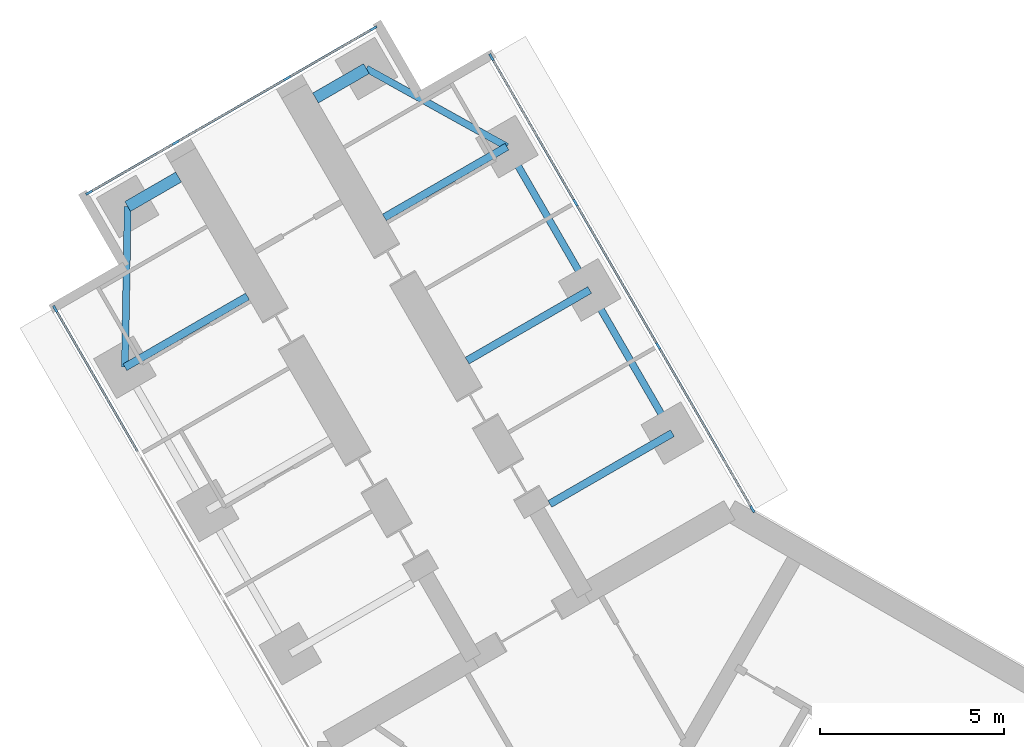
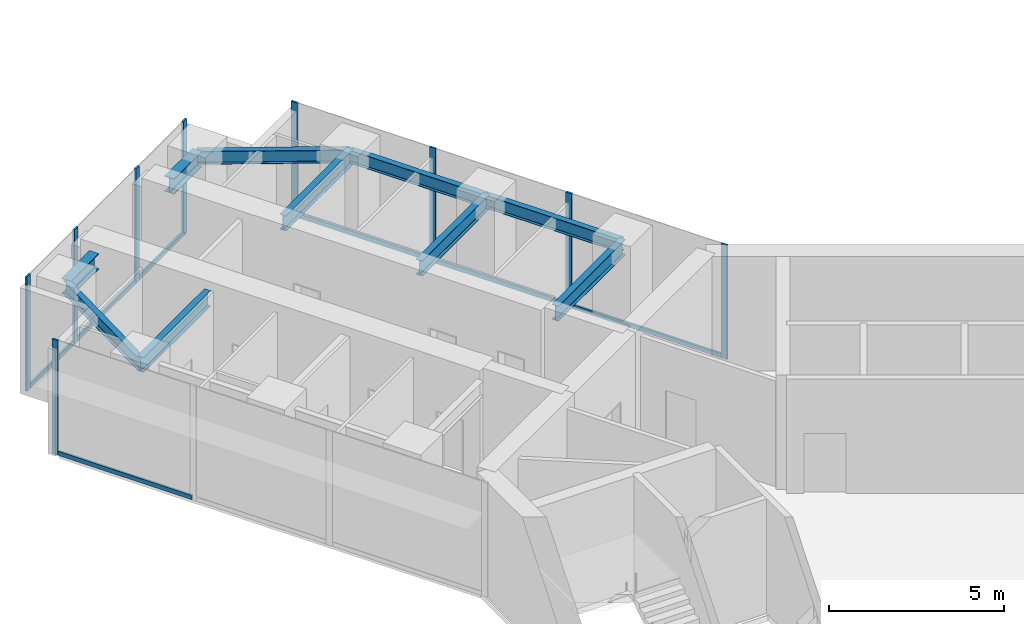
# One storey, part 6 of 23: 16 members, 10 beams, 3 elements without a shape of their own.
"""IFC4 building model written with IfcOpenShell, lengths in metres."""

import ifcopenshell
import ifcopenshell.guid

model = None  # the IFC model being written
_history = None  # IfcOwnerHistory: only IFC2X3 demands one
_inside = {}  # id of a spatial element -> (the spatial element, [elements in it])
_under = {}  # id of a project, library or spatial element -> (it, [spatial elements below it])
_declared = {}  # id of a project -> (the project, [libraries it declares])
_typed = {}  # id of a type object -> (the type object, [elements of that type])
_made_of = {}  # id of a material, layer set ... -> (it, [elements and type objects made of it])


def new_model(schema):
    """Start an empty IFC model of exactly this schema.

    Asked for "IFC4X3", IfcOpenShell would pick the latest addendum, in which some entities
    have other attributes; the version numbers below select the first issue.
    IFC2X3 requires an IfcOwnerHistory on every rooted entity: one is made here for all.
    """
    global model, _history
    if schema == "IFC4X3":
        model = ifcopenshell.file(schema_version=(4, 3, 0, 0))
    else:
        model = ifcopenshell.file(schema=schema)
    _inside.clear()
    _under.clear()
    _declared.clear()
    _typed.clear()
    _made_of.clear()
    _history = None
    if model.schema == "IFC2X3":
        org = make("IfcOrganization", Name="unknown")
        user = make(
            "IfcPersonAndOrganization",
            ThePerson=make("IfcPerson", FamilyName="unknown"),
            TheOrganization=org,
        )
        app = make(
            "IfcApplication",
            ApplicationDeveloper=org,
            Version="unknown",
            ApplicationFullName="unknown",
            ApplicationIdentifier="unknown",
        )
        _history = make(
            "IfcOwnerHistory",
            OwningUser=user,
            OwningApplication=app,
            ChangeAction="ADDED",
            CreationDate=0,
        )
    return model


def make(cls, **values):
    """One entity of the class cls with the attributes given. An attribute that is None is left unset."""
    return model.create_entity(
        cls, **{name: value for name, value in values.items() if value is not None}
    )


def rooted(cls, **values):
    """An entity with a GlobalId (a new one), such as an element, a storey or a relation."""
    return make(cls, GlobalId=ifcopenshell.guid.new(), OwnerHistory=_history, **values)


def si_unit(unit_type, name, prefix=None):
    """IfcSIUnit, for example si_unit("LENGTHUNIT", "METRE", prefix="MILLI")."""
    return make("IfcSIUnit", UnitType=unit_type, Prefix=prefix, Name=name)


def assignment(units):
    """IfcUnitAssignment: the units of a project."""
    return None if units is None else make("IfcUnitAssignment", Units=units)


def point(xyz):
    """IfcCartesianPoint."""
    return None if xyz is None else make("IfcCartesianPoint", Coordinates=xyz)


def direction(xyz):
    """IfcDirection."""
    return None if xyz is None else make("IfcDirection", DirectionRatios=xyz)


def frame(location, z_axis=None, x_axis=None):
    """IfcAxis2Placement3D, a coordinate frame: its origin and axes. An axis left out is left unset."""
    return make(
        "IfcAxis2Placement3D",
        Location=point(location),
        Axis=direction(z_axis),
        RefDirection=direction(x_axis),
    )


def frame_2d(location, x_axis=None):
    """IfcAxis2Placement2D, a coordinate frame in the plane: its origin and x axis."""
    return make(
        "IfcAxis2Placement2D", Location=point(location), RefDirection=direction(x_axis)
    )


def origin():
    """The frame at (0, 0, 0) with its axes left unset."""
    return frame((0.0, 0.0, 0.0))


def origin_2d():
    """The frame at (0, 0) in the plane with its x axis left unset."""
    return frame_2d((0.0, 0.0))


def place(relative_to, where):
    """IfcLocalPlacement: puts the frame where relative to a parent placement (None: the world)."""
    return make(
        "IfcLocalPlacement", PlacementRelTo=relative_to, RelativePlacement=where
    )


def context(
    kind, dimensions, precision=None, world=None, true_north=None, identifier=None
):
    """IfcGeometricRepresentationContext, for example the 3D "Model" context."""
    return make(
        "IfcGeometricRepresentationContext",
        ContextIdentifier=identifier,
        ContextType=kind,
        CoordinateSpaceDimension=dimensions,
        Precision=precision,
        WorldCoordinateSystem=world,
        TrueNorth=true_north,
    )


def subcontext(parent, identifier, kind, view, scale=None):
    """IfcGeometricRepresentationSubContext, for example "Body" below "Model"."""
    return make(
        "IfcGeometricRepresentationSubContext",
        ContextIdentifier=identifier,
        ContextType=kind,
        ParentContext=parent,
        TargetScale=scale,
        TargetView=view,
    )


def project(units=None, contexts=None):
    """IfcProject with its units and contexts."""
    return rooted(
        "IfcProject",
        Name="project",
        RepresentationContexts=contexts,
        UnitsInContext=assignment(units),
    )


def spatial(cls, under=None, at=None, **own):
    """A site, building, storey or space (cls), placed at a placement, below another one or the project."""
    s = rooted(cls, ObjectPlacement=at, **own)
    if under is not None:
        _under.setdefault(under.id(), (under, []))[1].append(s)
    return s


def profile(cls, at=None, kind="AREA", **sizes):
    """A parametric profile (cls). Its sizes go by their IFC names, for example OverallWidth=200.0."""
    return make(cls, ProfileType=kind, Position=at, **sizes)


def rectangle(**sizes):
    """IfcRectangleProfileDef."""
    return profile("IfcRectangleProfileDef", **sizes)


def i_section(**sizes):
    """IfcIShapeProfileDef."""
    return profile("IfcIShapeProfileDef", **sizes)


def extrude(swept, where, along, depth):
    """IfcExtrudedAreaSolid: the profile swept, set in the frame where, extruded along a direction by depth."""
    return make(
        "IfcExtrudedAreaSolid",
        SweptArea=swept,
        Position=where,
        ExtrudedDirection=direction(along),
        Depth=depth,
    )


def shape(context_of_items, identifier, shape_type, items):
    """IfcShapeRepresentation: the items that make up one representation, for example the "Body"."""
    return make(
        "IfcShapeRepresentation",
        ContextOfItems=context_of_items,
        RepresentationIdentifier=identifier,
        RepresentationType=shape_type,
        Items=items,
    )


def material(Name=None, Category=None):
    """IfcMaterial."""
    return make("IfcMaterial", Name=Name, Category=Category)


def material_profile(
    of_material, cross_section, Name=None, Category=None, Priority=None
):
    """IfcMaterialProfile: a cross section and its material."""
    return make(
        "IfcMaterialProfile",
        Name=Name,
        Material=of_material,
        Profile=cross_section,
        Priority=Priority,
        Category=Category,
    )


def profile_set(profiles, Name=None, composite=None):
    """IfcMaterialProfileSet."""
    return make(
        "IfcMaterialProfileSet",
        Name=Name,
        MaterialProfiles=profiles,
        CompositeProfile=composite,
    )


def made_of(thing, what):
    """Note that an element or type object is made of a material, layer set ...; save() writes the relation."""
    if what is not None:
        _made_of.setdefault(what.id(), (what, []))[1].append(thing)
    return thing


def type_object(cls, material=None, **own):
    """A type object (cls), such as IfcWallType, which elements share."""
    return made_of(rooted(cls, **own), material)


def element(
    cls,
    number,
    at=None,
    inside=None,
    cuts=None,
    type_object=None,
    material=None,
    context=None,
    identifier="Body",
    shape_type=None,
    held_by="IfcProductDefinitionShape",
    body=None,
    shapes=None,
    **own,
):
    """One element of the class cls, such as IfcWall. Its Tag is "e" and its number.

    at: its placement. inside: the storey or other place that contains it. cuts: it is an
    opening in that element (IfcRelVoidsElement). A single representation is given by context,
    identifier, shape_type and body (its items); several are given by shapes. held_by: the class
    of the entity that holds the representations. save() writes the other relations.
    """
    e = rooted(cls, Tag="e%d" % number, ObjectPlacement=at, **own)
    if body is not None:
        shapes = [shape(context, identifier, shape_type, body)]
    if shapes is not None:
        e.Representation = make(held_by, Representations=shapes)
    if inside is not None:
        _inside.setdefault(inside.id(), (inside, []))[1].append(e)
    if cuts is not None:
        rooted(
            "IfcRelVoidsElement", RelatingBuildingElement=cuts, RelatedOpeningElement=e
        )
    if type_object is not None:
        _typed.setdefault(type_object.id(), (type_object, []))[1].append(e)
    return made_of(e, material)


def aggregate(whole, parts):
    """IfcRelAggregates: a whole, such as a stair, and the parts it consists of."""
    return rooted("IfcRelAggregates", RelatingObject=whole, RelatedObjects=parts)


def save(model, path):
    """Write the relations noted so far, then the file.

    IfcRelAggregates (storeys below a building ...), IfcRelContainedInSpatialStructure (elements
    in a storey), IfcRelDefinesByType, IfcRelAssociatesMaterial and IfcRelDeclares: one each for
    every whole, place, type object, material and project.
    """
    for whole, parts in _under.values():
        aggregate(whole, parts)
    for where, things in _inside.values():
        rooted(
            "IfcRelContainedInSpatialStructure",
            RelatedElements=things,
            RelatingStructure=where,
        )
    for kind, things in _typed.values():
        rooted("IfcRelDefinesByType", RelatedObjects=things, RelatingType=kind)
    for what, things in _made_of.values():
        rooted("IfcRelAssociatesMaterial", RelatedObjects=things, RelatingMaterial=what)
    for by, libraries in _declared.values():
        rooted("IfcRelDeclares", RelatingContext=by, RelatedDefinitions=libraries)
    model.write(path)


model = new_model("IFC4")

# Units and contexts
model_context = context("Model", 3, precision=1e-05, world=origin(), true_north=direction((0.0, 1.0)))
body_context = subcontext(model_context, "Body", "Model", "MODEL_VIEW")
ifc_project = project(units=[si_unit("LENGTHUNIT", "METRE"), si_unit("AREAUNIT", "SQUARE_METRE"), si_unit("VOLUMEUNIT", "CUBIC_METRE"), si_unit("PLANEANGLEUNIT", "RADIAN"), si_unit("MASSUNIT", "GRAM", prefix="KILO")], contexts=[model_context])

# Site, building, storey
site_placement = place(None, origin())
site = spatial("IfcSite", under=ifc_project, at=site_placement, CompositionType="ELEMENT")
building_placement = place(site_placement, origin())
building = spatial("IfcBuilding", under=site, at=building_placement, Name="Upepo Twin Towers", CompositionType="ELEMENT")
storey_placement = place(building_placement, frame((0.0, 0.0, 161.5)))
storey = spatial("IfcBuildingStorey", under=building, at=storey_placement, Name="L39", CompositionType="ELEMENT", Elevation=161.5)

# Beams
ifc_material_1 = material(Name="Steel S355", Category="steel")
ifc_material_profile_1 = material_profile(ifc_material_1, i_section(OverallWidth=0.1904296875, OverallDepth=0.45703125, WebThickness=0.009033203125, FlangeThickness=0.014404296875, FilletRadius=0.01025390625, at=origin_2d()), Name="UB 457x191x74")
ifc_profile_set_1 = profile_set([ifc_material_profile_1], Name="Steel S355")
beam_type_1 = type_object("IfcBeamType", Name="Beam UB 457x191x74", PredefinedType="BEAM", material=ifc_profile_set_1)
beam_1_placement = place(storey_placement, frame((-16.446044921875, 16.485595703125, 3.471435546875), z_axis=(0.016803880528, 0.999858804832, 0.0), x_axis=(-0.999858804832, 0.016803880528, 0.0)))
element("IfcBeam", 1, at=beam_1_placement, inside=storey, type_object=beam_type_1, Name="T1 nose edge beam BL", PredefinedType="BEAM", context=body_context, shape_type="SweptSolid", body=[
    extrude(i_section(OverallWidth=0.1904296875, OverallDepth=0.45703125, WebThickness=0.009033203125, FlangeThickness=0.014404296875, FilletRadius=0.01025390625, at=origin_2d()), origin(), (0.0, 0.0, 1.0), 4.373291015625),
])
beam_2_placement = place(storey_placement, frame((-1.553955078125, 14.69140625, 3.471435546875), z_axis=(-0.500013631625, 0.866017533419, 0.0), x_axis=(-0.866017533419, -0.500013631625, 0.0)))
element("IfcBeam", 2, at=beam_2_placement, inside=storey, type_object=beam_type_1, Name="T1 edge beam BR 13.5-18.0", PredefinedType="BEAM", context=body_context, shape_type="SweptSolid", body=[
    extrude(i_section(OverallWidth=0.1904296875, OverallDepth=0.45703125, WebThickness=0.009033203125, FlangeThickness=0.014404296875, FilletRadius=0.01025390625, at=origin_2d()), origin(), (0.0, 0.0, 1.0), 4.499755859375),
])
beam_3_placement = place(storey_placement, frame((-3.803955078125, 18.58837890625, 3.471435546875), z_axis=(-0.499990139034, 0.866031096941, 0.0), x_axis=(-0.866031096941, -0.499990139034, 0.0)))
element("IfcBeam", 3, at=beam_3_placement, inside=storey, type_object=beam_type_1, Name="T1 edge beam BR 18.0-22.5", PredefinedType="BEAM", context=body_context, shape_type="SweptSolid", body=[
    extrude(i_section(OverallWidth=0.1904296875, OverallDepth=0.45703125, WebThickness=0.009033203125, FlangeThickness=0.014404296875, FilletRadius=0.01025390625, at=origin_2d()), origin(), (0.0, 0.0, 1.0), 4.5),
])
beam_4_placement = place(storey_placement, frame((-6.053955078125, 22.485595703125, 3.471435546875), z_axis=(-0.874312600038, 0.485363242752, 0.0), x_axis=(-0.485363242752, -0.874312600038, 0.0)))
element("IfcBeam", 4, at=beam_4_placement, inside=storey, type_object=beam_type_1, Name="T1 nose edge beam BR", PredefinedType="BEAM", context=body_context, shape_type="SweptSolid", body=[
    extrude(i_section(OverallWidth=0.1904296875, OverallDepth=0.45703125, WebThickness=0.009033203125, FlangeThickness=0.014404296875, FilletRadius=0.01025390625, at=origin_2d()), origin(), (0.0, 0.0, 1.0), 4.373046875),
])
ifc_material_2 = material(Name="Steel S355", Category="steel")
ifc_material_profile_2 = material_profile(ifc_material_2, i_section(OverallWidth=0.209228515625, OverallDepth=0.533203125, WebThickness=0.010009765625, FlangeThickness=0.015625, FilletRadius=0.0126953125, at=origin_2d()), Name="UB 533x210x92")
ifc_profile_set_2 = profile_set([ifc_material_profile_2], Name="Steel S355")
beam_type_2 = type_object("IfcBeamType", Name="Beam UB 533x210x92", PredefinedType="BEAM", material=ifc_profile_set_2)
for number, where, z_axis, x_axis, name in (
    (5, (-16.446044921875, 16.485595703125, 3.433349609375), (0.866006051527, 0.500033517596, 0.0), (-0.500033517596, 0.866006051527, 0.0), "T1 girder BL at 22.5"),
    (6, (-1.553955078125, 14.69140625, 3.433349609375), (-0.866006051527, -0.500033517596, 0.0), (0.500033517596, -0.866006051527, 0.0), "T1 girder BR at 13.5"),
):
    element("IfcBeam", number, at=place(storey_placement, frame(where, z_axis=z_axis, x_axis=x_axis)), inside=storey, type_object=beam_type_2, Name=name, PredefinedType="BEAM", context=body_context, shape_type="SweptSolid", body=[
        extrude(i_section(OverallWidth=0.209228515625, OverallDepth=0.533203125, WebThickness=0.010009765625, FlangeThickness=0.015625, FilletRadius=0.0126953125, at=origin_2d()), origin(), (0.0, 0.0, 1.0), 3.849853515625),
    ])
beam_5_placement = place(storey_placement, frame((-3.803955078125, 18.58837890625, 3.433349609375), z_axis=(-0.866033512162, -0.499985955615, 0.0), x_axis=(0.499985955615, -0.866033512162, 0.0)))
element("IfcBeam", 7, at=beam_5_placement, inside=storey, type_object=beam_type_2, Name="T1 girder BR at 18.0", PredefinedType="BEAM", context=body_context, shape_type="SweptSolid", body=[
    extrude(i_section(OverallWidth=0.209228515625, OverallDepth=0.533203125, WebThickness=0.010009765625, FlangeThickness=0.015625, FilletRadius=0.0126953125, at=origin_2d()), origin(), (0.0, 0.0, 1.0), 3.849609375),
])
beam_6_placement = place(storey_placement, frame((-6.053955078125, 22.485595703125, 3.433349609375), z_axis=(-0.866006051527, -0.500033517596, 0.0), x_axis=(0.500033517596, -0.866006051527, 0.0)))
element("IfcBeam", 8, at=beam_6_placement, inside=storey, type_object=beam_type_2, Name="T1 girder BR at 22.5", PredefinedType="BEAM", context=body_context, shape_type="SweptSolid", body=[
    extrude(i_section(OverallWidth=0.209228515625, OverallDepth=0.533203125, WebThickness=0.010009765625, FlangeThickness=0.015625, FilletRadius=0.0126953125, at=origin_2d()), origin(), (0.0, 0.0, 1.0), 3.849853515625),
])
ifc_material_3 = material(Name="Steel S355", Category="steel")
ifc_material_profile_3 = material_profile(ifc_material_3, i_section(OverallWidth=0.31201171875, OverallDepth=0.54345703125, WebThickness=0.0126953125, FlangeThickness=0.020263671875, FilletRadius=0.0126953125, at=origin_2d()), Name="UB 533x312x150")
ifc_profile_set_3 = profile_set([ifc_material_profile_3], Name="Steel S355")
beam_type_3 = type_object("IfcBeamType", Name="Beam UB 533x312x150", PredefinedType="BEAM", material=ifc_profile_set_3)
for number, where, z_axis, x_axis, name in (
    (9, (-16.37255859375, 20.858154296875, 3.42822265625), (0.865989903783, 0.500061482766, 0.0), (-0.500061482766, 0.865989903783, 0.0), "T1 nose beam BL"),
    (10, (-9.87744140625, 24.608154296875, 3.42822265625), (-0.865989903783, -0.500061482766, 0.0), (0.500061482766, -0.865989903783, 0.0), "T1 nose beam BR"),
):
    element("IfcBeam", number, at=place(storey_placement, frame(where, z_axis=z_axis, x_axis=x_axis)), inside=storey, type_object=beam_type_3, Name=name, PredefinedType="BEAM", context=body_context, shape_type="SweptSolid", body=[
        extrude(i_section(OverallWidth=0.31201171875, OverallDepth=0.54345703125, WebThickness=0.0126953125, FlangeThickness=0.020263671875, FilletRadius=0.0126953125, at=origin_2d()), origin(), (0.0, 0.0, 1.0), 1.599853515625),
    ])

# Curtain wall, member
ifc_material_4 = material(Name="Aluminium and fritted glass", Category="aluminium")
curtain_wall_type = type_object("IfcCurtainWallType", Name="Tower curtain wall TW2, fritted glass", PredefinedType="NOTDEFINED", material=ifc_material_4)
curtain_wall_1_placement = place(storey_placement, origin())
curtain_wall_1 = element("IfcCurtainWall", 11, at=curtain_wall_1_placement, inside=storey, type_object=curtain_wall_type, Name="T1 L39 wing B flank L curtain wall", PredefinedType="NOTDEFINED")
ifc_material_5 = material(Name="Aluminium mullion", Category="aluminium")
ifc_material_profile_4 = material_profile(ifc_material_5, rectangle(XDim=0.06494140625, YDim=0.199951171875, at=origin_2d()), Name="MULLION 65x200")
ifc_profile_set_4 = profile_set([ifc_material_profile_4], Name="Aluminium mullion")
member_type_1 = type_object("IfcMemberType", Name="Mullion 65x200 TW2", PredefinedType="MULLION", material=ifc_profile_set_4)
member_1_placement = place(storey_placement, frame((-18.341064453125, 18.067626953125, 0.0), z_axis=(0.0, 0.0, 1.0), x_axis=(-0.866025397833, -0.500000010308, 0.0)))
member_1 = element("IfcMember", 12, at=member_1_placement, type_object=member_type_1, Name="T1 L39 wing B flank L curtain wall mullion 4", PredefinedType="MULLION", context=body_context, shape_type="SweptSolid", body=[
    extrude(rectangle(XDim=0.06494140625, YDim=0.199951171875, at=origin_2d()), origin(), (0.0, 0.0, 1.0), 4.0),
])

# Curtain wall, members
curtain_wall_2_placement = place(storey_placement, origin())
curtain_wall_2 = element("IfcCurtainWall", 13, at=curtain_wall_2_placement, inside=storey, type_object=curtain_wall_type, Name="T1 L39 wing B flank R curtain wall", PredefinedType="NOTDEFINED")
member_2_placement = place(storey_placement, frame((-6.4765625, 24.91748046875, 0.0), z_axis=(0.0, 0.0, 1.0), x_axis=(0.866025397833, 0.500000010308, 0.0)))
member_2 = element("IfcMember", 14, at=member_2_placement, type_object=member_type_1, Name="T1 L39 wing B flank R curtain wall mullion 1", PredefinedType="MULLION", context=body_context, shape_type="SweptSolid", body=[
    extrude(rectangle(XDim=0.06494140625, YDim=0.199951171875, at=origin_2d()), origin(), (0.0, 0.0, 1.0), 4.0),
])
member_3_placement = place(storey_placement, frame((-4.192626953125, 20.9619140625, 0.0), z_axis=(0.0, 0.0, 1.0), x_axis=(0.866025397833, 0.500000010308, 0.0)))
member_3 = element("IfcMember", 15, at=member_3_placement, type_object=member_type_1, Name="T1 L39 wing B flank R curtain wall mullion 2", PredefinedType="MULLION", context=body_context, shape_type="SweptSolid", body=[
    extrude(rectangle(XDim=0.06494140625, YDim=0.199951171875, at=origin_2d()), origin(), (0.0, 0.0, 1.0), 4.0),
])
member_4_placement = place(storey_placement, frame((-1.942626953125, 17.06494140625, 0.0), z_axis=(0.0, 0.0, 1.0), x_axis=(0.866025397833, 0.500000010308, 0.0)))
member_4 = element("IfcMember", 16, at=member_4_placement, type_object=member_type_1, Name="T1 L39 wing B flank R curtain wall mullion 3", PredefinedType="MULLION", context=body_context, shape_type="SweptSolid", body=[
    extrude(rectangle(XDim=0.06494140625, YDim=0.199951171875, at=origin_2d()), origin(), (0.0, 0.0, 1.0), 4.0),
])
member_5_placement = place(storey_placement, frame((0.62255859375, 12.621826171875, 0.0), z_axis=(0.0, 0.0, 1.0), x_axis=(0.866025397833, 0.500000010308, 0.0)))
member_5 = element("IfcMember", 17, at=member_5_placement, type_object=member_type_1, Name="T1 L39 wing B flank R curtain wall mullion 4", PredefinedType="MULLION", context=body_context, shape_type="SweptSolid", body=[
    extrude(rectangle(XDim=0.06494140625, YDim=0.199951171875, at=origin_2d()), origin(), (0.0, 0.0, 1.0), 4.0),
])

curtain_wall_3_placement = place(storey_placement, origin())
curtain_wall_3 = element("IfcCurtainWall", 18, at=curtain_wall_3_placement, inside=storey, type_object=curtain_wall_type, Name="T1 L39 wing B nose curtain wall", PredefinedType="NOTDEFINED")
member_6_placement = place(storey_placement, frame((-9.68115234375, 25.703125, 0.0), z_axis=(0.0, 0.0, 1.0), x_axis=(0.500000030502, -0.866025386174, 0.0)))
member_6 = element("IfcMember", 19, at=member_6_placement, type_object=member_type_1, Name="T1 L39 wing B nose curtain wall mullion 1", PredefinedType="MULLION", context=body_context, shape_type="SweptSolid", body=[
    extrude(rectangle(XDim=0.06494140625, YDim=0.199951171875, at=origin_2d()), origin(), (0.0, 0.0, 1.0), 4.0),
])
member_7_placement = place(storey_placement, frame((-12.034423828125, 24.34423828125, 0.0), z_axis=(0.0, 0.0, 1.0), x_axis=(0.500000030502, -0.866025386174, 0.0)))
member_7 = element("IfcMember", 20, at=member_7_placement, type_object=member_type_1, Name="T1 L39 wing B nose curtain wall mullion 2", PredefinedType="MULLION", context=body_context, shape_type="SweptSolid", body=[
    extrude(rectangle(XDim=0.06494140625, YDim=0.199951171875, at=origin_2d()), origin(), (0.0, 0.0, 1.0), 4.0),
])
member_8_placement = place(storey_placement, frame((-15.0654296875, 22.59423828125, 0.0), z_axis=(0.0, 0.0, 1.0), x_axis=(0.500000030502, -0.866025386174, 0.0)))
member_8 = element("IfcMember", 21, at=member_8_placement, type_object=member_type_1, Name="T1 L39 wing B nose curtain wall mullion 3", PredefinedType="MULLION", context=body_context, shape_type="SweptSolid", body=[
    extrude(rectangle(XDim=0.06494140625, YDim=0.199951171875, at=origin_2d()), origin(), (0.0, 0.0, 1.0), 4.0),
])
member_9_placement = place(storey_placement, frame((-17.4189453125, 21.235595703125, 0.0), z_axis=(0.0, 0.0, 1.0), x_axis=(0.500000030502, -0.866025386174, 0.0)))
member_9 = element("IfcMember", 22, at=member_9_placement, type_object=member_type_1, Name="T1 L39 wing B nose curtain wall mullion 4", PredefinedType="MULLION", context=body_context, shape_type="SweptSolid", body=[
    extrude(rectangle(XDim=0.06494140625, YDim=0.199951171875, at=origin_2d()), origin(), (0.0, 0.0, 1.0), 4.0),
])

# Member
ifc_material_6 = material(Name="Aluminium transom", Category="aluminium")
ifc_material_profile_5 = material_profile(ifc_material_6, rectangle(XDim=0.06494140625, YDim=0.14990234375, at=origin_2d()), Name="TRANSOM 65x150")
ifc_profile_set_5 = profile_set([ifc_material_profile_5], Name="Aluminium transom")
member_type_2 = type_object("IfcMemberType", Name="Transom 65x150 TW2", PredefinedType="USERDEFINED", material=ifc_profile_set_5)
member_10_placement = place(storey_placement, frame((-16.073486328125, 14.14013671875, 0.074951171875), z_axis=(-0.499982167615, 0.866035699072, 0.0), x_axis=(-0.866035699072, -0.499982167615, 0.0)))
member_10 = element("IfcMember", 23, at=member_10_placement, type_object=member_type_2, Name="T1 L39 wing B flank L curtain wall transom 3", ObjectType="TRANSOM", PredefinedType="USERDEFINED", context=body_context, shape_type="SweptSolid", body=[
    extrude(rectangle(XDim=0.06494140625, YDim=0.14990234375, at=origin_2d()), origin(), (0.0, 0.0, 1.0), 4.502685546875),
])

aggregate(curtain_wall_1, [member_1, member_10])

member_11_placement = place(storey_placement, frame((-6.460205078125, 24.889404296875, 0.074951171875), z_axis=(0.500005646842, -0.866022143554, 0.0), x_axis=(0.866022143554, 0.500005646842, 0.0)))
member_11 = element("IfcMember", 24, at=member_11_placement, type_object=member_type_2, Name="T1 L39 wing B flank R curtain wall transom 1", ObjectType="TRANSOM", PredefinedType="USERDEFINED", context=body_context, shape_type="SweptSolid", body=[
    extrude(rectangle(XDim=0.06494140625, YDim=0.14990234375, at=origin_2d()), origin(), (0.0, 0.0, 1.0), 4.50244140625),
])

member_12_placement = place(storey_placement, frame((-4.176513671875, 20.933837890625, 0.074951171875), z_axis=(0.500005184116, -0.866022410713, 0.0), x_axis=(0.866022410713, 0.500005184116, 0.0)))
member_12 = element("IfcMember", 25, at=member_12_placement, type_object=member_type_2, Name="T1 L39 wing B flank R curtain wall transom 2", ObjectType="TRANSOM", PredefinedType="USERDEFINED", context=body_context, shape_type="SweptSolid", body=[
    extrude(rectangle(XDim=0.06494140625, YDim=0.14990234375, at=origin_2d()), origin(), (0.0, 0.0, 1.0), 4.43505859375),
])

member_13_placement = place(storey_placement, frame((-1.926513671875, 17.036865234375, 0.074951171875), z_axis=(0.499985288567, -0.866033897268, 0.0), x_axis=(0.866033897268, 0.499985288567, 0.0)))
member_13 = element("IfcMember", 26, at=member_13_placement, type_object=member_type_2, Name="T1 L39 wing B flank R curtain wall transom 3", ObjectType="TRANSOM", PredefinedType="USERDEFINED", context=body_context, shape_type="SweptSolid", body=[
    extrude(rectangle(XDim=0.06494140625, YDim=0.14990234375, at=origin_2d()), origin(), (0.0, 0.0, 1.0), 5.065673828125),
])

aggregate(curtain_wall_2, [member_2, member_3, member_4, member_5, member_11, member_12, member_13])

member_14_placement = place(storey_placement, frame((-9.709228515625, 25.686767578125, 0.074951171875), z_axis=(-0.866036909293, -0.499980071345, 0.0), x_axis=(0.499980071345, -0.866036909293, 0.0)))
member_14 = element("IfcMember", 27, at=member_14_placement, type_object=member_type_2, Name="T1 L39 wing B nose curtain wall transom 1", ObjectType="TRANSOM", PredefinedType="USERDEFINED", context=body_context, shape_type="SweptSolid", body=[
    extrude(rectangle(XDim=0.06494140625, YDim=0.14990234375, at=origin_2d()), origin(), (0.0, 0.0, 1.0), 2.65234375),
])

member_15_placement = place(storey_placement, frame((-12.0625, 24.328125, 0.074951171875), z_axis=(-0.866025804792, -0.499999305434, 0.0), x_axis=(0.499999305434, -0.866025804792, 0.0)))
member_15 = element("IfcMember", 28, at=member_15_placement, type_object=member_type_2, Name="T1 L39 wing B nose curtain wall transom 2", ObjectType="TRANSOM", PredefinedType="USERDEFINED", context=body_context, shape_type="SweptSolid", body=[
    extrude(rectangle(XDim=0.06494140625, YDim=0.14990234375, at=origin_2d()), origin(), (0.0, 0.0, 1.0), 3.43505859375),
])

member_16_placement = place(storey_placement, frame((-15.09375, 22.578125, 0.074951171875), z_axis=(-0.865997053448, -0.500049101008, 0.0), x_axis=(0.500049101008, -0.865997053448, 0.0)))
member_16 = element("IfcMember", 29, at=member_16_placement, type_object=member_type_2, Name="T1 L39 wing B nose curtain wall transom 3", ObjectType="TRANSOM", PredefinedType="USERDEFINED", context=body_context, shape_type="SweptSolid", body=[
    extrude(rectangle(XDim=0.06494140625, YDim=0.14990234375, at=origin_2d()), origin(), (0.0, 0.0, 1.0), 2.652587890625),
])

aggregate(curtain_wall_3, [member_6, member_7, member_8, member_9, member_14, member_15, member_16])

save(model, "model.ifc")
